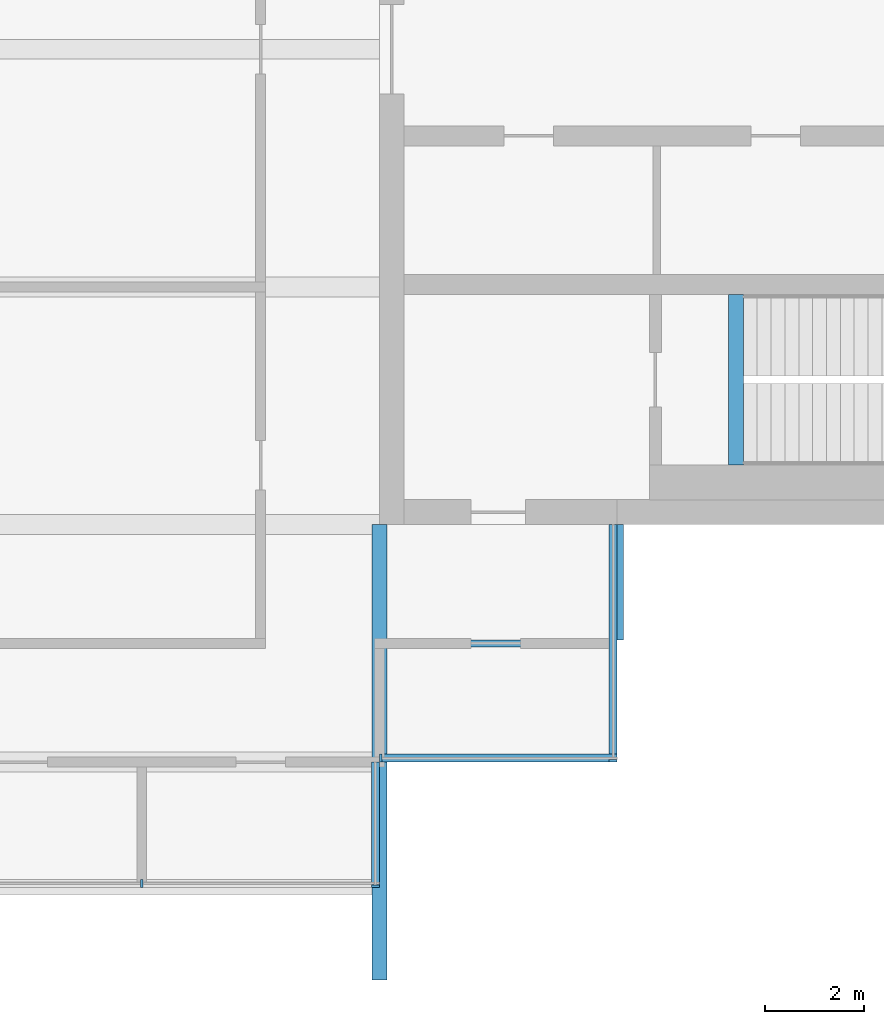
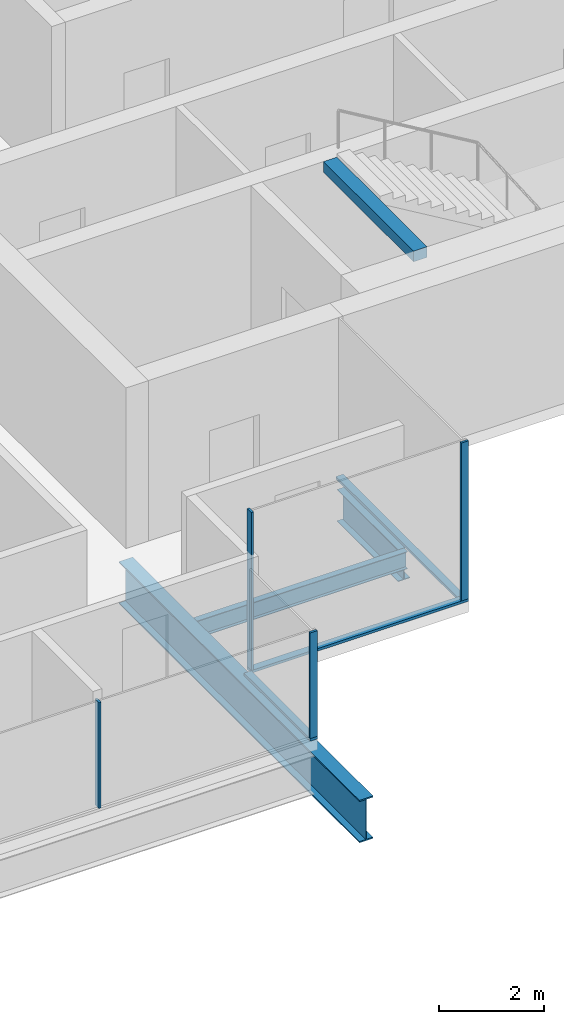
# One storey, part 4 of 12: 7 members, 4 beams, 4 elements without a shape of their own.
"""IFC4 building model written with IfcOpenShell, lengths in metres."""

from ifc_helpers import new_model, si_unit, direction, frame, origin, origin_2d, place, context, subcontext, project, spatial, rectangle, i_section, extrude, material, material_profile, profile_set, type_object, element, aggregate, save


model = new_model("IFC4")

# Units and contexts
model_context = context("Model", 3, precision=1e-05, world=origin(), true_north=direction((0.0, 1.0)))
body_context = subcontext(model_context, "Body", "Model", "MODEL_VIEW")
ifc_project = project(units=[si_unit("LENGTHUNIT", "METRE"), si_unit("AREAUNIT", "SQUARE_METRE"), si_unit("VOLUMEUNIT", "CUBIC_METRE"), si_unit("PLANEANGLEUNIT", "RADIAN"), si_unit("MASSUNIT", "GRAM", prefix="KILO")], contexts=[model_context])

# Site, building, storey
site_placement = place(None, origin())
site = spatial("IfcSite", under=ifc_project, at=site_placement, CompositionType="ELEMENT")
building_placement = place(site_placement, origin())
building = spatial("IfcBuilding", under=site, at=building_placement, Name="Baori Bourse Tower", CompositionType="ELEMENT")
storey_placement = place(building_placement, frame((0.0, 0.0, 362.300048828125)))
storey = spatial("IfcBuildingStorey", under=building, at=storey_placement, Name="L81", CompositionType="ELEMENT", Elevation=362.300048828125)

# Curtain wall, member
ifc_material_1 = material(Name="Pale anodised aluminium", Category="aluminium")
curtain_wall_type = type_object("IfcCurtainWallType", Name="CW3 Curtain wall", PredefinedType="NOTDEFINED", material=ifc_material_1)
curtain_wall_1_placement = place(storey_placement, origin())
curtain_wall_1 = element("IfcCurtainWall", 1, at=curtain_wall_1_placement, inside=storey, type_object=curtain_wall_type, Name="Curtain wall CW3 L81 1", PredefinedType="NOTDEFINED")
ifc_material_2 = material(Name="Pale anodised aluminium", Category="aluminium")
ifc_material_profile_1 = material_profile(ifc_material_2, rectangle(XDim=0.159912109375, YDim=0.050048828125, at=origin_2d()), Name="Mullion 50x160")
ifc_profile_set_1 = profile_set([ifc_material_profile_1], Name="Pale anodised aluminium")
member_type_1 = type_object("IfcMemberType", Name="CW3 Curtain wall mullion", PredefinedType="MULLION", material=ifc_profile_set_1)
member_1_placement = place(storey_placement, frame((43.1201171875, 4.824951171875, 0.06005859375), z_axis=(0.0, 0.0, 1.0), x_axis=(-1.0, 0.0, 0.0)))
member_1 = element("IfcMember", 2, at=member_1_placement, type_object=member_type_1, Name="Curtain wall CW3 mullion", PredefinedType="MULLION", context=body_context, shape_type="SweptSolid", body=[
    extrude(rectangle(XDim=0.159912109375, YDim=0.050048828125, at=origin_2d()), origin(), (0.0, 0.0, 1.0), 3.68994140625),
])

curtain_wall_2_placement = place(storey_placement, origin())
curtain_wall_2 = element("IfcCurtainWall", 3, at=curtain_wall_2_placement, inside=storey, type_object=curtain_wall_type, Name="Curtain wall CW3 L81 13", PredefinedType="NOTDEFINED")
member_2_placement = place(storey_placement, frame((33.60009765625, 2.3515625, 0.06005859375), z_axis=(0.0, 0.0, 1.0), x_axis=(0.0, 1.0, 0.0)))
member_2 = element("IfcMember", 4, at=member_2_placement, type_object=member_type_1, Name="Curtain wall CW3 mullion", PredefinedType="MULLION", context=body_context, shape_type="SweptSolid", body=[
    extrude(rectangle(XDim=0.159912109375, YDim=0.050048828125, at=origin_2d()), origin(), (0.0, 0.0, 1.0), 2.469970703125),
])
aggregate(curtain_wall_2, [member_2])

curtain_wall_3_placement = place(storey_placement, origin())
curtain_wall_3 = element("IfcCurtainWall", 5, at=curtain_wall_3_placement, inside=storey, type_object=curtain_wall_type, Name="Curtain wall CW3 L81 14", PredefinedType="NOTDEFINED")
member_3_placement = place(storey_placement, frame((38.320068359375, 2.296630859375, 0.06005859375), z_axis=(0.0, 0.0, 1.0), x_axis=(-1.0, 0.0, 0.0)))
member_3 = element("IfcMember", 6, at=member_3_placement, type_object=member_type_1, Name="Curtain wall CW3 mullion", PredefinedType="MULLION", context=body_context, shape_type="SweptSolid", body=[
    extrude(rectangle(XDim=0.159912109375, YDim=0.050048828125, at=origin_2d()), origin(), (0.0, 0.0, 1.0), 2.469970703125),
])

curtain_wall_4_placement = place(storey_placement, origin())
curtain_wall_4 = element("IfcCurtainWall", 7, at=curtain_wall_4_placement, inside=storey, type_object=curtain_wall_type, Name="Curtain wall CW3 L81 15", PredefinedType="NOTDEFINED")
member_4_placement = place(storey_placement, frame((38.425048828125, 4.8798828125, 0.06005859375), z_axis=(0.0, 0.0, 1.0), x_axis=(0.0, 1.0, 0.0)))
member_4 = element("IfcMember", 8, at=member_4_placement, type_object=member_type_1, Name="Curtain wall CW3 mullion", PredefinedType="MULLION", context=body_context, shape_type="SweptSolid", body=[
    extrude(rectangle(XDim=0.159912109375, YDim=0.050048828125, at=origin_2d()), origin(), (0.0, 0.0, 1.0), 3.68994140625),
])

# Member
ifc_material_3 = material(Name="Pale anodised aluminium", Category="aluminium")
ifc_material_profile_2 = material_profile(ifc_material_3, rectangle(XDim=0.159912109375, YDim=0.06005859375, at=origin_2d()), Name="Transom 60x160")
ifc_profile_set_2 = profile_set([ifc_material_profile_2], Name="Pale anodised aluminium")
member_type_2 = type_object("IfcMemberType", Name="CW3 Curtain wall transom", PredefinedType="USERDEFINED", material=ifc_profile_set_2)
member_5_placement = place(storey_placement, frame((43.1201171875, 4.800048828125, 0.030029296875), z_axis=(0.0, 1.0, 0.0), x_axis=(-1.0, 0.0, 0.0)))
member_5 = element("IfcMember", 9, at=member_5_placement, type_object=member_type_2, Name="Curtain wall CW3 sill rail", ObjectType="TRANSOM", PredefinedType="USERDEFINED", context=body_context, shape_type="SweptSolid", body=[
    extrude(rectangle(XDim=0.159912109375, YDim=0.06005859375, at=origin_2d()), origin(), (0.0, 0.0, 1.0), 4.800048828125),
])

aggregate(curtain_wall_1, [member_5, member_1])

member_6_placement = place(storey_placement, frame((38.320068359375, 2.271484375, 0.030029296875), z_axis=(0.0, 1.0, 0.0), x_axis=(-1.0, 0.0, 0.0)))
member_6 = element("IfcMember", 10, at=member_6_placement, type_object=member_type_2, Name="Curtain wall CW3 sill rail", ObjectType="TRANSOM", PredefinedType="USERDEFINED", context=body_context, shape_type="SweptSolid", body=[
    extrude(rectangle(XDim=0.159912109375, YDim=0.06005859375, at=origin_2d()), origin(), (0.0, 0.0, 1.0), 2.528564453125),
])

aggregate(curtain_wall_3, [member_6, member_3])

member_7_placement = place(storey_placement, frame((38.39990234375, 4.8798828125, 0.030029296875), z_axis=(1.0, 0.0, 0.0), x_axis=(0.0, 1.0, 0.0)))
member_7 = element("IfcMember", 11, at=member_7_placement, type_object=member_type_2, Name="Curtain wall CW3 sill rail", ObjectType="TRANSOM", PredefinedType="USERDEFINED", context=body_context, shape_type="SweptSolid", body=[
    extrude(rectangle(XDim=0.159912109375, YDim=0.06005859375, at=origin_2d()), origin(), (0.0, 0.0, 1.0), 4.800048828125),
])

aggregate(curtain_wall_4, [member_7, member_4])

# Beams
ifc_material_4 = material(Name="Steel A992 Gr 50", Category="steel")
ifc_material_profile_3 = material_profile(ifc_material_4, i_section(OverallWidth=0.26416015625, OverallDepth=0.749267578125, WebThickness=0.011962890625, FlangeThickness=0.015380859375, at=origin_2d()), Name="W30x90")
ifc_profile_set_3 = profile_set([ifc_material_profile_3], Name="Steel A992 Gr 50")
beam_type_1 = type_object("IfcBeamType", Name="Core bracket W30x90", PredefinedType="BEAM", material=ifc_profile_set_3)
beam_1_placement = place(storey_placement, frame((43.199951171875, 7.270263671875, -0.624755859375), z_axis=(0.0, 1.0, 0.0), x_axis=(-1.0, 0.0, 0.0)))
element("IfcBeam", 12, at=beam_1_placement, inside=storey, type_object=beam_type_1, Name="Core bracket L81", PredefinedType="BEAM", context=body_context, shape_type="SweptSolid", body=[
    extrude(i_section(OverallWidth=0.26416015625, OverallDepth=0.749267578125, WebThickness=0.011962890625, FlangeThickness=0.015380859375, at=origin_2d()), origin(), (0.0, 0.0, 1.0), 2.329833984375),
])
ifc_material_5 = material(Name="Steel A992 Gr 50", Category="steel")
ifc_material_profile_4 = material_profile(ifc_material_5, i_section(OverallWidth=0.2998046875, OverallDepth=0.990478515625, WebThickness=0.0166015625, FlangeThickness=0.030517578125, at=origin_2d()), Name="W40x183")
ifc_profile_set_4 = profile_set([ifc_material_profile_4], Name="Steel A992 Gr 50")
beam_type_2 = type_object("IfcBeamType", Name="Girder W40x183", PredefinedType="BEAM", material=ifc_profile_set_4)
beam_2_placement = place(storey_placement, frame((38.39990234375, 0.39990234375, -0.745361328125), z_axis=(0.0, 1.0, 0.0), x_axis=(-1.0, 0.0, 0.0)))
element("IfcBeam", 13, at=beam_2_placement, inside=storey, type_object=beam_type_2, Name="Girder L81", PredefinedType="BEAM", context=body_context, shape_type="SweptSolid", body=[
    extrude(i_section(OverallWidth=0.2998046875, OverallDepth=0.990478515625, WebThickness=0.0166015625, FlangeThickness=0.030517578125, at=origin_2d()), origin(), (0.0, 0.0, 1.0), 9.2001953125),
])
ifc_material_6 = material(Name="Concrete f'c 50 MPa", Category="concrete")
ifc_material_profile_5 = material_profile(ifc_material_6, rectangle(XDim=0.300048828125, YDim=0.25, at=origin_2d()), Name="RC 300x250")
ifc_profile_set_5 = profile_set([ifc_material_profile_5], Name="Concrete f'c 50 MPa")
beam_type_3 = type_object("IfcBeamType", Name="Stair nib beam RC 300x250", PredefinedType="BEAM", material=ifc_profile_set_5)
beam_3_placement = place(storey_placement, frame((45.60009765625, 10.800048828125, 3.625), z_axis=(0.0, 1.0, 0.0), x_axis=(-1.0, 0.0, 0.0)))
element("IfcBeam", 14, at=beam_3_placement, inside=storey, type_object=beam_type_3, Name="Stair EA nib beam L82", PredefinedType="BEAM", context=body_context, shape_type="SweptSolid", body=[
    extrude(rectangle(XDim=0.300048828125, YDim=0.25, at=origin_2d()), origin(), (0.0, 0.0, 1.0), 3.449951171875),
])
ifc_material_7 = material(Name="Steel A992 Gr 50", Category="steel")
ifc_material_profile_6 = material_profile(ifc_material_7, i_section(OverallWidth=0.140380859375, OverallDepth=0.40380859375, WebThickness=0.007080078125, FlangeThickness=0.01123046875, at=origin_2d()), Name="W16x31")
ifc_profile_set_6 = profile_set([ifc_material_profile_6], Name="Steel A992 Gr 50")
beam_type_4 = type_object("IfcBeamType", Name="Trimmer beam W16x31", PredefinedType="BEAM", material=ifc_profile_set_6)
beam_4_placement = place(storey_placement, frame((38.5498046875, 7.199951171875, -0.451904296875), z_axis=(1.0, 0.0, 0.0), x_axis=(0.0, 1.0, 0.0)))
element("IfcBeam", 15, at=beam_4_placement, inside=storey, type_object=beam_type_4, Name="Trimmer beam L81", PredefinedType="BEAM", context=body_context, shape_type="SweptSolid", body=[
    extrude(i_section(OverallWidth=0.140380859375, OverallDepth=0.40380859375, WebThickness=0.007080078125, FlangeThickness=0.01123046875, at=origin_2d()), origin(), (0.0, 0.0, 1.0), 4.650146484375),
])

save(model, "model.ifc")
